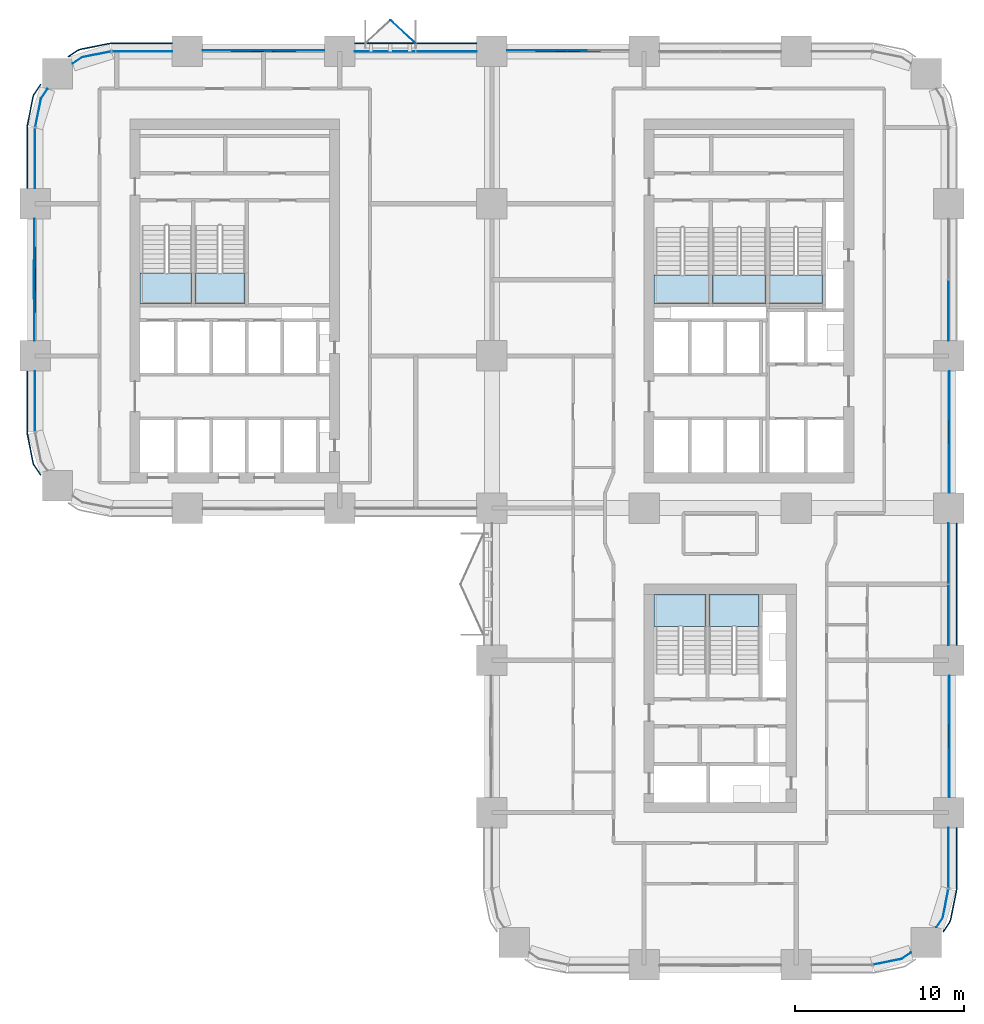
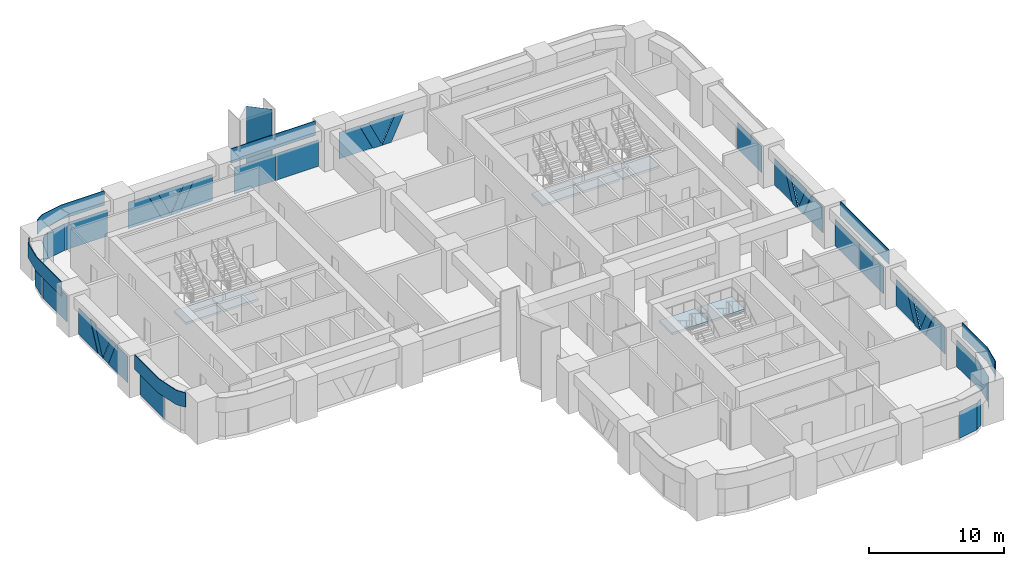
# One storey, part 10 of 18: 39 plates, 7 slabs, 20 elements without a shape of their own.
"""IFC4 building model written with IfcOpenShell, lengths in metres."""

from ifc_helpers import new_model, si_unit, direction, frame, origin, origin_2d, place, context, subcontext, project, spatial, polyline, rectangle, outline, extrude, material, layer, layer_set, type_object, element, aggregate, save


model = new_model("IFC4")

# Units and contexts
model_context = context("Model", 3, precision=1e-05, world=origin(), true_north=direction((0.0, 1.0)))
body_context = subcontext(model_context, "Body", "Model", "MODEL_VIEW")
ifc_project = project(units=[si_unit("LENGTHUNIT", "METRE"), si_unit("AREAUNIT", "SQUARE_METRE"), si_unit("VOLUMEUNIT", "CUBIC_METRE"), si_unit("PLANEANGLEUNIT", "RADIAN"), si_unit("MASSUNIT", "GRAM", prefix="KILO")], contexts=[model_context])

# Site, building, storey
site_placement = place(None, origin())
site = spatial("IfcSite", under=ifc_project, at=site_placement, CompositionType="ELEMENT")
building_placement = place(site_placement, origin())
building = spatial("IfcBuilding", under=site, at=building_placement, Name="Tessera Arch", CompositionType="ELEMENT")
storey_placement = place(building_placement, frame((0.0, 0.0, 100.60009765625)))
storey = spatial("IfcBuildingStorey", under=building, at=storey_placement, Name="L23", CompositionType="ELEMENT", Elevation=100.60009765625)

# Curtain wall, plates
ifc_material_1 = material(Name="CW1 curtain wall")
curtain_wall_type_1 = type_object("IfcCurtainWallType", Name="CW1 curtain wall", PredefinedType="NOTDEFINED", material=ifc_material_1)
curtain_wall_1_placement = place(storey_placement, origin())
curtain_wall_1 = element("IfcCurtainWall", 1, at=curtain_wall_1_placement, inside=storey, type_object=curtain_wall_type_1, Name="CW1 curtain wall N54.0/2 L23", PredefinedType="NOTDEFINED")
ifc_material_2 = material(Name="Clear low-e glass", Category="glass")
ifc_material_3 = material(Name="Clear low-e glass", Category="glass")
ifc_layer_1 = layer(ifc_material_3, 0.028076171875)
ifc_layer_set_1 = layer_set([ifc_layer_1], Name="CW1 glass panel")
plate_type_1 = type_object("IfcPlateType", Name="CW1 glass panel", PredefinedType="CURTAIN_PANEL", material=ifc_layer_set_1)
plate_1_placement = place(storey_placement, frame((24.31494140625, 54.0, 0.0), z_axis=(0.0, 0.0, 1.0), x_axis=(-1.0, 0.0, 0.0)))
plate_1 = element("IfcPlate", 2, at=plate_1_placement, type_object=plate_type_1, material=ifc_material_2, Name="CW1 glass panel N54.0/2 1.1.1", PredefinedType="CURTAIN_PANEL", context=body_context, shape_type="SweptSolid", body=[
    extrude(rectangle(XDim=3.570068359375, YDim=0.028076171875, at=origin_2d()), origin(), (0.0, 0.0, 1.0), 2.39990234375),
])
plate_2_placement = place(storey_placement, frame((20.68505859375, 54.0, 0.0), z_axis=(0.0, 0.0, 1.0), x_axis=(-1.0, 0.0, 0.0)))
plate_2 = element("IfcPlate", 3, at=plate_2_placement, type_object=plate_type_1, material=ifc_material_2, Name="CW1 glass panel N54.0/2 1.2.1", PredefinedType="CURTAIN_PANEL", context=body_context, shape_type="SweptSolid", body=[
    extrude(rectangle(XDim=3.570068359375, YDim=0.028076171875, at=origin_2d()), origin(), (0.0, 0.0, 1.0), 2.39990234375),
])

curtain_wall_2_placement = place(storey_placement, origin())
curtain_wall_2 = element("IfcCurtainWall", 4, at=curtain_wall_2_placement, inside=storey, type_object=curtain_wall_type_1, Name="CW1 curtain wall E54.0/2 L23", PredefinedType="NOTDEFINED")
plate_3_placement = place(storey_placement, frame((54.0, 20.68505859375, 0.0), z_axis=(0.0, 0.0, 1.0), x_axis=(0.0, 1.0, 0.0)))
plate_3 = element("IfcPlate", 5, at=plate_3_placement, type_object=plate_type_1, material=ifc_material_2, Name="CW1 glass panel E54.0/2 1.1.1", PredefinedType="CURTAIN_PANEL", context=body_context, shape_type="SweptSolid", body=[
    extrude(rectangle(XDim=3.570068359375, YDim=0.028076171875, at=origin_2d()), origin(), (0.0, 0.0, 1.0), 2.39990234375),
])
plate_4_placement = place(storey_placement, frame((54.0, 24.31494140625, 0.0), z_axis=(0.0, 0.0, 1.0), x_axis=(0.0, 1.0, 0.0)))
plate_4 = element("IfcPlate", 6, at=plate_4_placement, type_object=plate_type_1, material=ifc_material_2, Name="CW1 glass panel E54.0/2 1.2.1", PredefinedType="CURTAIN_PANEL", context=body_context, shape_type="SweptSolid", body=[
    extrude(rectangle(XDim=3.570068359375, YDim=0.028076171875, at=origin_2d()), origin(), (0.0, 0.0, 1.0), 2.39990234375),
])

# Curtain wall, plate
curtain_wall_3_placement = place(storey_placement, origin())
curtain_wall_3 = element("IfcCurtainWall", 7, at=curtain_wall_3_placement, inside=storey, type_object=curtain_wall_type_1, Name="CW1 curtain wall E54.0/4 L23", PredefinedType="NOTDEFINED")
plate_5_placement = place(storey_placement, frame((54.0, 38.68505859375, 0.0), z_axis=(0.0, 0.0, 1.0), x_axis=(0.0, 1.0, 0.0)))
plate_5 = element("IfcPlate", 8, at=plate_5_placement, type_object=plate_type_1, material=ifc_material_2, Name="CW1 glass panel E54.0/4 1.1.1", PredefinedType="CURTAIN_PANEL", context=body_context, shape_type="SweptSolid", body=[
    extrude(rectangle(XDim=3.570068359375, YDim=0.028076171875, at=origin_2d()), origin(), (0.0, 0.0, 1.0), 2.39990234375),
])
aggregate(curtain_wall_3, [plate_5])

# Plate
ifc_material_4 = material(Name="Pale anodised aluminium panel", Category="aluminium")
ifc_layer_2 = layer(ifc_material_4, 0.06005859375)
ifc_layer_set_2 = layer_set([ifc_layer_2], Name="CW1 spandrel panel")
plate_type_2 = type_object("IfcPlateType", Name="CW1 spandrel panel", PredefinedType="CURTAIN_PANEL", material=ifc_layer_set_2)
plate_6_placement = place(storey_placement, frame((22.5, 54.47998046875, 2.5), z_axis=(0.0, 0.0, 1.0), x_axis=(-1.0, 0.0, 0.0)))
plate_6 = element("IfcPlate", 9, at=plate_6_placement, type_object=plate_type_2, Name="CW1 spandrel panel N54.0/2", PredefinedType="CURTAIN_PANEL", context=body_context, shape_type="SweptSolid", body=[
    extrude(rectangle(XDim=7.199951171875, YDim=0.06005859375, at=origin_2d()), origin(), (0.0, 0.0, 1.0), 1.300048828125),
])

aggregate(curtain_wall_1, [plate_1, plate_2, plate_6])

plate_7_placement = place(storey_placement, frame((54.47998046875, 22.5, 2.5), z_axis=(0.0, 0.0, 1.0), x_axis=(0.0, 1.0, 0.0)))
plate_7 = element("IfcPlate", 10, at=plate_7_placement, type_object=plate_type_2, Name="CW1 spandrel panel E54.0/2", PredefinedType="CURTAIN_PANEL", context=body_context, shape_type="SweptSolid", body=[
    extrude(rectangle(XDim=7.199951171875, YDim=0.06005859375, at=origin_2d()), origin(), (0.0, 0.0, 1.0), 1.300048828125),
])

aggregate(curtain_wall_2, [plate_3, plate_4, plate_7])

# Curtain wall, plates
ifc_material_5 = material(Name="CW2 curtain wall")
curtain_wall_type_2 = type_object("IfcCurtainWallType", Name="CW2 curtain wall", PredefinedType="NOTDEFINED", material=ifc_material_5)
curtain_wall_4_placement = place(storey_placement, origin())
curtain_wall_4 = element("IfcCurtainWall", 11, at=curtain_wall_4_placement, inside=storey, type_object=curtain_wall_type_2, Name="CW2 curtain wall N54.0/4 L23", PredefinedType="NOTDEFINED")
ifc_material_6 = material(Name="Clear low-e glass", Category="glass")
ifc_layer_3 = layer(ifc_material_6, 0.028076171875)
ifc_layer_set_3 = layer_set([ifc_layer_3], Name="CW2 glass panel")
plate_type_3 = type_object("IfcPlateType", Name="CW2 glass panel", PredefinedType="CURTAIN_PANEL", material=ifc_layer_set_3)
plate_8_placement = place(storey_placement, frame((6.320068359375, 54.0, 0.0), z_axis=(0.0, 0.0, 1.0), x_axis=(-1.0, 0.0, 0.0)))
plate_8 = element("IfcPlate", 12, at=plate_8_placement, type_object=plate_type_3, material=ifc_material_2, Name="CW2 glass panel N54.0/4 1.1", PredefinedType="CURTAIN_PANEL", context=body_context, shape_type="SweptSolid", body=[
    extrude(rectangle(XDim=3.56005859375, YDim=0.028076171875, at=origin_2d()), origin(), (0.0, 0.0, 1.0), 2.39990234375),
])
plate_9_placement = place(storey_placement, origin())
plate_9 = element("IfcPlate", 13, at=plate_9_placement, type_object=plate_type_3, material=ifc_material_2, Name="CW2 curved glass panel N54.0/4 2.1", PredefinedType="CURTAIN_PANEL", context=body_context, shape_type="SweptSolid", body=[
    extrude(outline(polyline([(2.783447265625, 53.644287109375), (4.46337890625, 53.978515625), (4.4580078125, 54.005859375), (2.7724609375, 53.670654296875), (2.210205078125, 53.294921875), (2.225830078125, 53.271728515625), (2.783447265625, 53.644287109375)])), origin(), (0.0, 0.0, 1.0), 2.39990234375),
])

curtain_wall_5_placement = place(storey_placement, origin())
curtain_wall_5 = element("IfcCurtainWall", 14, at=curtain_wall_5_placement, inside=storey, type_object=curtain_wall_type_2, Name="CW2 curtain wall W0.27/0 L23", PredefinedType="NOTDEFINED")
plate_10_placement = place(storey_placement, frame((0.0, 47.679931640625, 0.0), z_axis=(0.0, 0.0, 1.0), x_axis=(0.0, -1.0, 0.0)))
plate_10 = element("IfcPlate", 15, at=plate_10_placement, type_object=plate_type_3, material=ifc_material_2, Name="CW2 glass panel W0.27/0 1.1", PredefinedType="CURTAIN_PANEL", context=body_context, shape_type="SweptSolid", body=[
    extrude(rectangle(XDim=3.56005859375, YDim=0.028076171875, at=origin_2d()), origin(), (0.0, 0.0, 1.0), 2.39990234375),
])
plate_11_placement = place(storey_placement, origin())
plate_11 = element("IfcPlate", 16, at=plate_11_placement, type_object=plate_type_3, material=ifc_material_2, Name="CW2 curved glass panel W0.27/0 2.1", PredefinedType="CURTAIN_PANEL", context=body_context, shape_type="SweptSolid", body=[
    extrude(outline(polyline([(0.355712890625, 51.216552734375), (0.728271484375, 51.774169921875), (0.705078125, 51.789794921875), (0.329345703125, 51.2275390625), (-0.005859375, 49.5419921875), (0.021484375, 49.53662109375), (0.355712890625, 51.216552734375)])), origin(), (0.0, 0.0, 1.0), 2.39990234375),
])

# Curtain wall, plate
curtain_wall_6_placement = place(storey_placement, origin())
curtain_wall_6 = element("IfcCurtainWall", 17, at=curtain_wall_6_placement, inside=storey, type_object=curtain_wall_type_2, Name="CW2 curtain wall W0.27/2 L23", PredefinedType="NOTDEFINED")
plate_12_placement = place(storey_placement, frame((0.0, 33.320068359375, 0.0), z_axis=(0.0, 0.0, 1.0), x_axis=(0.0, -1.0, 0.0)))
plate_12 = element("IfcPlate", 18, at=plate_12_placement, type_object=plate_type_3, material=ifc_material_2, Name="CW2 glass panel W0.27/2 1.1", PredefinedType="CURTAIN_PANEL", context=body_context, shape_type="SweptSolid", body=[
    extrude(rectangle(XDim=3.56005859375, YDim=0.028076171875, at=origin_2d()), origin(), (0.0, 0.0, 1.0), 2.39990234375),
])

curtain_wall_7_placement = place(storey_placement, origin())
curtain_wall_7 = element("IfcCurtainWall", 19, at=curtain_wall_7_placement, inside=storey, type_object=curtain_wall_type_2, Name="CW2 curtain wall S0.27/2 L23", PredefinedType="NOTDEFINED")
plate_13_placement = place(storey_placement, origin())
plate_13 = element("IfcPlate", 20, at=plate_13_placement, type_object=plate_type_3, material=ifc_material_2, Name="CW2 curved glass panel S0.27/2 2.1", PredefinedType="CURTAIN_PANEL", context=body_context, shape_type="SweptSolid", body=[
    extrude(outline(polyline([(51.216552734375, 0.355712890625), (49.53662109375, 0.021484375), (49.5419921875, -0.005859375), (51.2275390625, 0.329345703125), (51.789794921875, 0.705078125), (51.774169921875, 0.728271484375), (51.216552734375, 0.355712890625)])), origin(), (0.0, 0.0, 1.0), 2.39990234375),
])
aggregate(curtain_wall_7, [plate_13])

# Curtain wall, plates
curtain_wall_8_placement = place(storey_placement, origin())
curtain_wall_8 = element("IfcCurtainWall", 21, at=curtain_wall_8_placement, inside=storey, type_object=curtain_wall_type_2, Name="CW2 curtain wall E54.0/0 L23", PredefinedType="NOTDEFINED")
plate_14_placement = place(storey_placement, frame((54.0, 6.320068359375, 0.0), z_axis=(0.0, 0.0, 1.0), x_axis=(0.0, 1.0, 0.0)))
plate_14 = element("IfcPlate", 22, at=plate_14_placement, type_object=plate_type_3, material=ifc_material_2, Name="CW2 glass panel E54.0/0 1.1", PredefinedType="CURTAIN_PANEL", context=body_context, shape_type="SweptSolid", body=[
    extrude(rectangle(XDim=3.56005859375, YDim=0.028076171875, at=origin_2d()), origin(), (0.0, 0.0, 1.0), 2.39990234375),
])
plate_15_placement = place(storey_placement, origin())
plate_15 = element("IfcPlate", 23, at=plate_15_placement, type_object=plate_type_3, material=ifc_material_2, Name="CW2 curved glass panel E54.0/0 2.1", PredefinedType="CURTAIN_PANEL", context=body_context, shape_type="SweptSolid", body=[
    extrude(outline(polyline([(53.644287109375, 2.783447265625), (53.271728515625, 2.225830078125), (53.294921875, 2.210205078125), (53.670654296875, 2.7724609375), (54.005859375, 4.4580078125), (53.978515625, 4.46337890625), (53.644287109375, 2.783447265625)])), origin(), (0.0, 0.0, 1.0), 2.39990234375),
])

# Plate
ifc_material_7 = material(Name="Pale anodised aluminium panel", Category="aluminium")
ifc_layer_4 = layer(ifc_material_7, 0.06005859375)
ifc_layer_set_4 = layer_set([ifc_layer_4], Name="CW2 spandrel panel")
plate_type_4 = type_object("IfcPlateType", Name="CW2 spandrel panel", PredefinedType="CURTAIN_PANEL", material=ifc_layer_set_4)
plate_16_placement = place(storey_placement, frame((0.0, 0.0, 2.5)))
plate_16 = element("IfcPlate", 24, at=plate_16_placement, type_object=plate_type_4, Name="CW2 spandrel panel N54.0/4", PredefinedType="CURTAIN_PANEL", context=body_context, shape_type="SweptSolid", body=[
    extrude(outline(polyline([(4.500732421875, 54.449951171875), (8.10009765625, 54.449951171875), (8.10009765625, 54.510009765625), (4.499267578125, 54.510009765625), (4.449951171875, 54.507568359375), (4.401123046875, 54.500244140625), (2.677734375, 54.157470703125), (2.6298828125, 54.1455078125), (2.582763671875, 54.128662109375), (2.537353515625, 54.107177734375), (2.4951171875, 54.08203125), (1.9345703125, 53.707275390625), (1.968017578125, 53.657470703125), (2.52734375, 54.03125), (2.565673828125, 54.05419921875), (2.605712890625, 54.0732421875), (2.647216796875, 54.088134765625), (2.69091796875, 54.09912109375), (4.411376953125, 54.441162109375), (4.455810546875, 54.44775390625), (4.500732421875, 54.449951171875)])), origin(), (0.0, 0.0, 1.0), 1.2998046875),
])

aggregate(curtain_wall_4, [plate_8, plate_9, plate_16])

plate_17_placement = place(storey_placement, frame((0.0, 0.0, 2.5)))
plate_17 = element("IfcPlate", 25, at=plate_17_placement, type_object=plate_type_4, Name="CW2 spandrel panel W0.27/0", PredefinedType="CURTAIN_PANEL", context=body_context, shape_type="SweptSolid", body=[
    extrude(outline(polyline([(-0.03125, 51.47265625), (0.342529296875, 52.031982421875), (0.292724609375, 52.0654296875), (-0.08203125, 51.5048828125), (-0.107177734375, 51.462646484375), (-0.128662109375, 51.417236328125), (-0.1455078125, 51.3701171875), (-0.157470703125, 51.322265625), (-0.500244140625, 49.598876953125), (-0.507568359375, 49.550048828125), (-0.510009765625, 49.500732421875), (-0.510009765625, 45.89990234375), (-0.449951171875, 45.89990234375), (-0.449951171875, 49.499267578125), (-0.44775390625, 49.544189453125), (-0.441162109375, 49.588623046875), (-0.09912109375, 51.30908203125), (-0.088134765625, 51.352783203125), (-0.0732421875, 51.394287109375), (-0.05419921875, 51.434326171875), (-0.03125, 51.47265625)])), origin(), (0.0, 0.0, 1.0), 1.2998046875),
])

aggregate(curtain_wall_5, [plate_10, plate_11, plate_17])

plate_18_placement = place(storey_placement, frame((0.0, 0.0, 2.5)))
plate_18 = element("IfcPlate", 26, at=plate_18_placement, type_object=plate_type_4, Name="CW2 spandrel panel W0.27/2", PredefinedType="CURTAIN_PANEL", context=body_context, shape_type="SweptSolid", body=[
    extrude(outline(polyline([(-0.449951171875, 31.500732421875), (-0.449951171875, 35.10009765625), (-0.510009765625, 35.10009765625), (-0.510009765625, 31.499267578125), (-0.507568359375, 31.449951171875), (-0.500244140625, 31.401123046875), (-0.157470703125, 29.677734375), (-0.1455078125, 29.6298828125), (-0.128662109375, 29.582763671875), (-0.107177734375, 29.537353515625), (-0.08203125, 29.4951171875), (0.292724609375, 28.9345703125), (0.342529296875, 28.968017578125), (-0.03125, 29.52734375), (-0.05419921875, 29.565673828125), (-0.0732421875, 29.605712890625), (-0.088134765625, 29.647216796875), (-0.09912109375, 29.69091796875), (-0.441162109375, 31.411376953125), (-0.44775390625, 31.455810546875), (-0.449951171875, 31.500732421875)])), origin(), (0.0, 0.0, 1.0), 1.2998046875),
])

aggregate(curtain_wall_6, [plate_12, plate_18])

plate_19_placement = place(storey_placement, frame((0.0, 0.0, 2.5)))
plate_19 = element("IfcPlate", 27, at=plate_19_placement, type_object=plate_type_4, Name="CW2 spandrel panel E54.0/0", PredefinedType="CURTAIN_PANEL", context=body_context, shape_type="SweptSolid", body=[
    extrude(outline(polyline([(54.03125, 2.52734375), (53.657470703125, 1.968017578125), (53.707275390625, 1.9345703125), (54.08203125, 2.4951171875), (54.107177734375, 2.537353515625), (54.128662109375, 2.582763671875), (54.1455078125, 2.6298828125), (54.157470703125, 2.677734375), (54.500244140625, 4.401123046875), (54.507568359375, 4.449951171875), (54.510009765625, 4.499267578125), (54.510009765625, 8.10009765625), (54.449951171875, 8.10009765625), (54.449951171875, 4.500732421875), (54.44775390625, 4.455810546875), (54.441162109375, 4.411376953125), (54.09912109375, 2.69091796875), (54.088134765625, 2.647216796875), (54.0732421875, 2.605712890625), (54.05419921875, 2.565673828125), (54.03125, 2.52734375)])), origin(), (0.0, 0.0, 1.0), 1.2998046875),
])

aggregate(curtain_wall_8, [plate_14, plate_15, plate_19])

# Curtain wall, plate
ifc_material_8 = material(Name="CW3 curtain wall")
curtain_wall_type_3 = type_object("IfcCurtainWallType", Name="CW3 curtain wall", PredefinedType="NOTDEFINED", material=ifc_material_8)
curtain_wall_9_placement = place(storey_placement, origin())
curtain_wall_9 = element("IfcCurtainWall", 28, at=curtain_wall_9_placement, inside=storey, type_object=curtain_wall_type_3, Name="CW3 curtain wall N54.0/1 L23", PredefinedType="NOTDEFINED")
ifc_material_9 = material(Name="Pale anodised aluminium panel", Category="aluminium")
ifc_layer_5 = layer(ifc_material_9, 0.06005859375)
ifc_layer_set_5 = layer_set([ifc_layer_5], Name="CW3 diagonal panel")
plate_type_5 = type_object("IfcPlateType", Name="CW3 diagonal panel", PredefinedType="CURTAIN_PANEL", material=ifc_layer_set_5)
plate_20_placement = place(storey_placement, frame((29.585205078125, 54.030029296875, 2.39990234375), z_axis=(0.0, 1.0, 0.0), x_axis=(1.0, 0.0, 0.0)))
plate_20 = element("IfcPlate", 29, at=plate_20_placement, type_object=plate_type_5, Name="CW3 diagonal panel N54.0/1 1", PredefinedType="CURTAIN_PANEL", context=body_context, shape_type="SweptSolid", body=[
    extrude(outline(polyline([(0.0, 0.0), (0.798095703125, 0.0), (1.914794921875, 2.357421875), (3.031494140625, 0.0), (3.82958984375, 0.0), (2.69287109375, 2.39990234375), (1.13671875, 2.39990234375), (0.0, 0.0)])), origin(), (0.0, 0.0, -1.0), 0.06005859375),
])

curtain_wall_10_placement = place(storey_placement, origin())
curtain_wall_10 = element("IfcCurtainWall", 30, at=curtain_wall_10_placement, inside=storey, type_object=curtain_wall_type_3, Name="CW3 curtain wall N54.0/3 L23", PredefinedType="NOTDEFINED")
plate_21_placement = place(storey_placement, frame((11.585205078125, 54.030029296875, 2.39990234375), z_axis=(0.0, 1.0, 0.0), x_axis=(1.0, 0.0, 0.0)))
plate_21 = element("IfcPlate", 31, at=plate_21_placement, type_object=plate_type_5, Name="CW3 diagonal panel N54.0/3 1", PredefinedType="CURTAIN_PANEL", context=body_context, shape_type="SweptSolid", body=[
    extrude(outline(polyline([(0.0, 0.0), (0.798095703125, 0.0), (1.914794921875, 2.357421875), (3.031494140625, 0.0), (3.82958984375, 0.0), (2.69287109375, 2.39990234375), (1.13671875, 2.39990234375), (0.0, 0.0)])), origin(), (0.0, 0.0, -1.0), 0.06005859375),
])

curtain_wall_11_placement = place(storey_placement, origin())
curtain_wall_11 = element("IfcCurtainWall", 32, at=curtain_wall_11_placement, inside=storey, type_object=curtain_wall_type_3, Name="CW3 curtain wall W0.27/1 L23", PredefinedType="NOTDEFINED")
plate_22_placement = place(storey_placement, frame((-0.030029296875, 38.585205078125, 2.39990234375), z_axis=(-1.0, 0.0, 0.0), x_axis=(0.0, 1.0, 0.0)))
plate_22 = element("IfcPlate", 33, at=plate_22_placement, type_object=plate_type_5, Name="CW3 diagonal panel W0.27/1 1", PredefinedType="CURTAIN_PANEL", context=body_context, shape_type="SweptSolid", body=[
    extrude(outline(polyline([(0.0, 0.0), (0.798095703125, 0.0), (1.914794921875, 2.357421875), (3.031494140625, 0.0), (3.82958984375, 0.0), (2.69287109375, 2.39990234375), (1.13671875, 2.39990234375), (0.0, 0.0)])), origin(), (0.0, 0.0, -1.0), 0.06005859375),
])

curtain_wall_12_placement = place(storey_placement, origin())
curtain_wall_12 = element("IfcCurtainWall", 34, at=curtain_wall_12_placement, inside=storey, type_object=curtain_wall_type_3, Name="CW3 curtain wall E54.0/1 L23", PredefinedType="NOTDEFINED")
plate_23_placement = place(storey_placement, frame((54.030029296875, 15.414794921875, 2.39990234375), z_axis=(1.0, 0.0, 0.0), x_axis=(0.0, -1.0, 0.0)))
plate_23 = element("IfcPlate", 35, at=plate_23_placement, type_object=plate_type_5, Name="CW3 diagonal panel E54.0/1 1", PredefinedType="CURTAIN_PANEL", context=body_context, shape_type="SweptSolid", body=[
    extrude(outline(polyline([(0.0, 0.0), (0.798095703125, 0.0), (1.914794921875, 2.357421875), (3.031494140625, 0.0), (3.82958984375, 0.0), (2.69287109375, 2.39990234375), (1.13671875, 2.39990234375), (0.0, 0.0)])), origin(), (0.0, 0.0, -1.0), 0.06005859375),
])

curtain_wall_13_placement = place(storey_placement, origin())
curtain_wall_13 = element("IfcCurtainWall", 36, at=curtain_wall_13_placement, inside=storey, type_object=curtain_wall_type_3, Name="CW3 curtain wall E54.0/3 L23", PredefinedType="NOTDEFINED")
plate_24_placement = place(storey_placement, frame((54.030029296875, 33.414794921875, 2.39990234375), z_axis=(1.0, 0.0, 0.0), x_axis=(0.0, -1.0, 0.0)))
plate_24 = element("IfcPlate", 37, at=plate_24_placement, type_object=plate_type_5, Name="CW3 diagonal panel E54.0/3 1", PredefinedType="CURTAIN_PANEL", context=body_context, shape_type="SweptSolid", body=[
    extrude(outline(polyline([(0.0, 0.0), (0.798095703125, 0.0), (1.914794921875, 2.357421875), (3.031494140625, 0.0), (3.82958984375, 0.0), (2.69287109375, 2.39990234375), (1.13671875, 2.39990234375), (0.0, 0.0)])), origin(), (0.0, 0.0, -1.0), 0.06005859375),
])

# Plate
ifc_material_10 = material(Name="Clear low-e glass", Category="glass")
ifc_layer_6 = layer(ifc_material_10, 0.028076171875)
ifc_layer_set_6 = layer_set([ifc_layer_6], Name="CW3 glass panel")
plate_type_6 = type_object("IfcPlateType", Name="CW3 glass panel", PredefinedType="CURTAIN_PANEL", material=ifc_layer_set_6)
plate_25_placement = place(storey_placement, frame((30.38330078125, 54.0859375, 2.39990234375), z_axis=(0.0, 1.0, 0.0), x_axis=(1.0, 0.0, 0.0)))
plate_25 = element("IfcPlate", 38, at=plate_25_placement, type_object=plate_type_6, material=ifc_material_2, Name="CW3 triangulated glass panel N54.0/1 2", PredefinedType="CURTAIN_PANEL", context=body_context, shape_type="SweptSolid", body=[
    extrude(outline(polyline([(0.0, 0.0), (2.2333984375, 0.0), (1.11669921875, 2.357421875), (0.0, 0.0)])), origin(), (0.0, 0.0, -1.0), 0.028076171875),
])

plate_26_placement = place(storey_placement, frame((27.89990234375, 54.05810546875, 2.39990234375), z_axis=(0.0, 1.0, 0.0), x_axis=(1.0, 0.0, 0.0)))
plate_26 = element("IfcPlate", 39, at=plate_26_placement, type_object=plate_type_6, material=ifc_material_2, Name="CW3 triangulated glass panel N54.0/1 3", PredefinedType="CURTAIN_PANEL", context=body_context, shape_type="SweptSolid", body=[
    extrude(outline(polyline([(0.0, 0.0), (1.685302734375, 0.0), (2.822021484375, 2.39990234375), (0.0, 2.39990234375), (0.0, 0.0)])), origin(), (0.0, 0.0, -1.0), 0.028076171875),
])

aggregate(curtain_wall_9, [plate_25, plate_26, plate_20])

plate_27_placement = place(storey_placement, frame((17.10009765625, 54.05810546875, 0.0), z_axis=(0.0, 1.0, 0.0), x_axis=(-1.0, 0.0, 0.0)))
plate_27 = element("IfcPlate", 40, at=plate_27_placement, type_object=plate_type_6, material=ifc_material_2, Name="CW3 triangulated glass panel N54.0/3 1", PredefinedType="CURTAIN_PANEL", context=body_context, shape_type="SweptSolid", body=[
    extrude(outline(polyline([(0.0, 0.0), (2.822021484375, 0.0), (1.685302734375, 2.39990234375), (0.0, 2.39990234375), (0.0, 0.0)])), origin(), (0.0, 0.0, -1.0), 0.028076171875),
])

plate_28_placement = place(storey_placement, frame((12.38330078125, 54.0859375, 2.39990234375), z_axis=(0.0, 1.0, 0.0), x_axis=(1.0, 0.0, 0.0)))
plate_28 = element("IfcPlate", 41, at=plate_28_placement, type_object=plate_type_6, material=ifc_material_2, Name="CW3 triangulated glass panel N54.0/3 2", PredefinedType="CURTAIN_PANEL", context=body_context, shape_type="SweptSolid", body=[
    extrude(outline(polyline([(0.0, 0.0), (2.2333984375, 0.0), (1.11669921875, 2.357421875), (0.0, 0.0)])), origin(), (0.0, 0.0, -1.0), 0.028076171875),
])

plate_29_placement = place(storey_placement, frame((9.89990234375, 54.05810546875, 2.39990234375), z_axis=(0.0, 1.0, 0.0), x_axis=(1.0, 0.0, 0.0)))
plate_29 = element("IfcPlate", 42, at=plate_29_placement, type_object=plate_type_6, material=ifc_material_2, Name="CW3 triangulated glass panel N54.0/3 3", PredefinedType="CURTAIN_PANEL", context=body_context, shape_type="SweptSolid", body=[
    extrude(outline(polyline([(0.0, 0.0), (1.685302734375, 0.0), (2.822021484375, 2.39990234375), (0.0, 2.39990234375), (0.0, 0.0)])), origin(), (0.0, 0.0, -1.0), 0.028076171875),
])

aggregate(curtain_wall_10, [plate_27, plate_28, plate_29, plate_21])

plate_30_placement = place(storey_placement, frame((-0.05810546875, 44.10009765625, 0.0), z_axis=(-1.0, 0.0, 0.0), x_axis=(0.0, -1.0, 0.0)))
plate_30 = element("IfcPlate", 43, at=plate_30_placement, type_object=plate_type_6, material=ifc_material_2, Name="CW3 triangulated glass panel W0.27/1 1", PredefinedType="CURTAIN_PANEL", context=body_context, shape_type="SweptSolid", body=[
    extrude(outline(polyline([(0.0, 0.0), (2.822021484375, 0.0), (1.685302734375, 2.39990234375), (0.0, 2.39990234375), (0.0, 0.0)])), origin(), (0.0, 0.0, -1.0), 0.028076171875),
])

plate_31_placement = place(storey_placement, frame((-0.0859375, 39.38330078125, 2.39990234375), z_axis=(-1.0, 0.0, 0.0), x_axis=(0.0, 1.0, 0.0)))
plate_31 = element("IfcPlate", 44, at=plate_31_placement, type_object=plate_type_6, material=ifc_material_2, Name="CW3 triangulated glass panel W0.27/1 2", PredefinedType="CURTAIN_PANEL", context=body_context, shape_type="SweptSolid", body=[
    extrude(outline(polyline([(0.0, 0.0), (2.2333984375, 0.0), (1.11669921875, 2.357421875), (0.0, 0.0)])), origin(), (0.0, 0.0, -1.0), 0.028076171875),
])

plate_32_placement = place(storey_placement, frame((-0.05810546875, 36.89990234375, 2.39990234375), z_axis=(-1.0, 0.0, 0.0), x_axis=(0.0, 1.0, 0.0)))
plate_32 = element("IfcPlate", 45, at=plate_32_placement, type_object=plate_type_6, material=ifc_material_2, Name="CW3 triangulated glass panel W0.27/1 3", PredefinedType="CURTAIN_PANEL", context=body_context, shape_type="SweptSolid", body=[
    extrude(outline(polyline([(0.0, 0.0), (1.685302734375, 0.0), (2.822021484375, 2.39990234375), (0.0, 2.39990234375), (0.0, 0.0)])), origin(), (0.0, 0.0, -1.0), 0.028076171875),
])

aggregate(curtain_wall_11, [plate_30, plate_31, plate_32, plate_22])

plate_33_placement = place(storey_placement, frame((54.05810546875, 9.89990234375, 0.0), z_axis=(1.0, 0.0, 0.0), x_axis=(0.0, 1.0, 0.0)))
plate_33 = element("IfcPlate", 46, at=plate_33_placement, type_object=plate_type_6, material=ifc_material_2, Name="CW3 triangulated glass panel E54.0/1 1", PredefinedType="CURTAIN_PANEL", context=body_context, shape_type="SweptSolid", body=[
    extrude(outline(polyline([(0.0, 0.0), (2.822021484375, 0.0), (1.685302734375, 2.39990234375), (0.0, 2.39990234375), (0.0, 0.0)])), origin(), (0.0, 0.0, -1.0), 0.028076171875),
])

plate_34_placement = place(storey_placement, frame((54.0859375, 14.61669921875, 2.39990234375), z_axis=(1.0, 0.0, 0.0), x_axis=(0.0, -1.0, 0.0)))
plate_34 = element("IfcPlate", 47, at=plate_34_placement, type_object=plate_type_6, material=ifc_material_2, Name="CW3 triangulated glass panel E54.0/1 2", PredefinedType="CURTAIN_PANEL", context=body_context, shape_type="SweptSolid", body=[
    extrude(outline(polyline([(0.0, 0.0), (2.2333984375, 0.0), (1.11669921875, 2.357421875), (0.0, 0.0)])), origin(), (0.0, 0.0, -1.0), 0.028076171875),
])

plate_35_placement = place(storey_placement, frame((54.05810546875, 17.10009765625, 2.39990234375), z_axis=(1.0, 0.0, 0.0), x_axis=(0.0, -1.0, 0.0)))
plate_35 = element("IfcPlate", 48, at=plate_35_placement, type_object=plate_type_6, material=ifc_material_2, Name="CW3 triangulated glass panel E54.0/1 3", PredefinedType="CURTAIN_PANEL", context=body_context, shape_type="SweptSolid", body=[
    extrude(outline(polyline([(0.0, 0.0), (1.685302734375, 0.0), (2.822021484375, 2.39990234375), (0.0, 2.39990234375), (0.0, 0.0)])), origin(), (0.0, 0.0, -1.0), 0.028076171875),
])

aggregate(curtain_wall_12, [plate_33, plate_34, plate_35, plate_23])

plate_36_placement = place(storey_placement, frame((54.05810546875, 27.89990234375, 0.0), z_axis=(1.0, 0.0, 0.0), x_axis=(0.0, 1.0, 0.0)))
plate_36 = element("IfcPlate", 49, at=plate_36_placement, type_object=plate_type_6, material=ifc_material_2, Name="CW3 triangulated glass panel E54.0/3 1", PredefinedType="CURTAIN_PANEL", context=body_context, shape_type="SweptSolid", body=[
    extrude(outline(polyline([(0.0, 0.0), (2.822021484375, 0.0), (1.685302734375, 2.39990234375), (0.0, 2.39990234375), (0.0, 0.0)])), origin(), (0.0, 0.0, -1.0), 0.028076171875),
])

plate_37_placement = place(storey_placement, frame((54.0859375, 32.61669921875, 2.39990234375), z_axis=(1.0, 0.0, 0.0), x_axis=(0.0, -1.0, 0.0)))
plate_37 = element("IfcPlate", 50, at=plate_37_placement, type_object=plate_type_6, material=ifc_material_2, Name="CW3 triangulated glass panel E54.0/3 2", PredefinedType="CURTAIN_PANEL", context=body_context, shape_type="SweptSolid", body=[
    extrude(outline(polyline([(0.0, 0.0), (2.2333984375, 0.0), (1.11669921875, 2.357421875), (0.0, 0.0)])), origin(), (0.0, 0.0, -1.0), 0.028076171875),
])

plate_38_placement = place(storey_placement, frame((54.05810546875, 35.10009765625, 2.39990234375), z_axis=(1.0, 0.0, 0.0), x_axis=(0.0, -1.0, 0.0)))
plate_38 = element("IfcPlate", 51, at=plate_38_placement, type_object=plate_type_6, material=ifc_material_2, Name="CW3 triangulated glass panel E54.0/3 3", PredefinedType="CURTAIN_PANEL", context=body_context, shape_type="SweptSolid", body=[
    extrude(outline(polyline([(0.0, 0.0), (1.685302734375, 0.0), (2.822021484375, 2.39990234375), (0.0, 2.39990234375), (0.0, 0.0)])), origin(), (0.0, 0.0, -1.0), 0.028076171875),
])

aggregate(curtain_wall_13, [plate_36, plate_37, plate_38, plate_24])

# Stair, slab
ifc_material_11 = material(Name="Concrete C40/50", Category="concrete")
stair_type_1 = type_object("IfcStairType", Name="Dogleg stair 1520", PredefinedType="HALF_TURN_STAIR", material=ifc_material_11)
stair_1_placement = place(storey_placement, origin())
stair_1 = element("IfcStair", 52, at=stair_1_placement, inside=storey, type_object=stair_type_1, Name="L23 S1a", PredefinedType="HALF_TURN_STAIR")
ifc_material_12 = material(Name="Concrete C40/50", Category="concrete")
ifc_layer_7 = layer(ifc_material_12, 0.300048828125)
ifc_layer_set_7 = layer_set([ifc_layer_7], Name="Stair landing 300")
slab_type = type_object("IfcSlabType", Name="Stair landing 300", PredefinedType="LANDING", material=ifc_layer_set_7)
slab_1_placement = place(storey_placement, frame((0.0, 0.0, 1.699951171875)))
slab_1 = element("IfcSlab", 53, at=slab_1_placement, type_object=slab_type, Name="S1a landing 1", PredefinedType="LANDING", context=body_context, shape_type="SweptSolid", body=[
    extrude(outline(polyline([(36.60009765625, 40.780029296875), (36.60009765625, 39.10009765625), (39.85009765625, 39.10009765625), (39.85009765625, 40.780029296875), (36.60009765625, 40.780029296875)])), origin(), (0.0, 0.0, 1.0), 0.199951171875),
])
aggregate(stair_1, [slab_1])

stair_2_placement = place(storey_placement, origin())
stair_2 = element("IfcStair", 54, at=stair_2_placement, inside=storey, type_object=stair_type_1, Name="L23 S1b", PredefinedType="HALF_TURN_STAIR")
slab_2_placement = place(storey_placement, frame((0.0, 0.0, 1.699951171875)))
slab_2 = element("IfcSlab", 55, at=slab_2_placement, type_object=slab_type, Name="S1b landing 1", PredefinedType="LANDING", context=body_context, shape_type="SweptSolid", body=[
    extrude(outline(polyline([(40.050048828125, 40.780029296875), (40.050048828125, 39.10009765625), (43.199951171875, 39.10009765625), (43.199951171875, 40.780029296875), (40.050048828125, 40.780029296875)])), origin(), (0.0, 0.0, 1.0), 0.199951171875),
])
aggregate(stair_2, [slab_2])

stair_3_placement = place(storey_placement, origin())
stair_3 = element("IfcStair", 56, at=stair_3_placement, inside=storey, type_object=stair_type_1, Name="L23 S1c", PredefinedType="HALF_TURN_STAIR")
slab_3_placement = place(storey_placement, frame((0.0, 0.0, 1.699951171875)))
slab_3 = element("IfcSlab", 57, at=slab_3_placement, type_object=slab_type, Name="S1c landing 1", PredefinedType="LANDING", context=body_context, shape_type="SweptSolid", body=[
    extrude(outline(polyline([(43.39990234375, 40.780029296875), (43.39990234375, 39.10009765625), (46.550048828125, 39.10009765625), (46.550048828125, 40.780029296875), (43.39990234375, 40.780029296875)])), origin(), (0.0, 0.0, 1.0), 0.199951171875),
])
aggregate(stair_3, [slab_3])

ifc_material_13 = material(Name="Concrete C40/50", Category="concrete")
stair_type_2 = type_object("IfcStairType", Name="Dogleg stair 1400", PredefinedType="HALF_TURN_STAIR", material=ifc_material_13)
stair_4_placement = place(storey_placement, origin())
stair_4 = element("IfcStair", 58, at=stair_4_placement, inside=storey, type_object=stair_type_2, Name="L23 S2a", PredefinedType="HALF_TURN_STAIR")
slab_4_placement = place(storey_placement, frame((0.0, 0.0, 1.699951171875)))
slab_4 = element("IfcSlab", 59, at=slab_4_placement, type_object=slab_type, Name="S2a landing 1", PredefinedType="LANDING", context=body_context, shape_type="SweptSolid", body=[
    extrude(outline(polyline([(6.199951171875, 40.89990234375), (6.199951171875, 39.10009765625), (9.25, 39.10009765625), (9.25, 40.89990234375), (6.199951171875, 40.89990234375)])), origin(), (0.0, 0.0, 1.0), 0.199951171875),
])
aggregate(stair_4, [slab_4])

stair_5_placement = place(storey_placement, origin())
stair_5 = element("IfcStair", 60, at=stair_5_placement, inside=storey, type_object=stair_type_2, Name="L23 S2b", PredefinedType="HALF_TURN_STAIR")
slab_5_placement = place(storey_placement, frame((0.0, 0.0, 1.699951171875)))
slab_5 = element("IfcSlab", 61, at=slab_5_placement, type_object=slab_type, Name="S2b landing 1", PredefinedType="LANDING", context=body_context, shape_type="SweptSolid", body=[
    extrude(outline(polyline([(9.449951171875, 40.89990234375), (9.449951171875, 39.10009765625), (12.39990234375, 39.10009765625), (12.39990234375, 40.89990234375), (9.449951171875, 40.89990234375)])), origin(), (0.0, 0.0, 1.0), 0.199951171875),
])
aggregate(stair_5, [slab_5])

stair_6_placement = place(storey_placement, origin())
stair_6 = element("IfcStair", 62, at=stair_6_placement, inside=storey, type_object=stair_type_2, Name="L23 S3a", PredefinedType="HALF_TURN_STAIR")
slab_6_placement = place(storey_placement, frame((0.0, 0.0, 1.699951171875)))
slab_6 = element("IfcSlab", 63, at=slab_6_placement, type_object=slab_type, Name="S3a landing 1", PredefinedType="LANDING", context=body_context, shape_type="SweptSolid", body=[
    extrude(outline(polyline([(39.64990234375, 20.0), (39.64990234375, 21.89990234375), (36.60009765625, 21.89990234375), (36.60009765625, 20.0), (39.64990234375, 20.0)])), origin(), (0.0, 0.0, 1.0), 0.199951171875),
])
aggregate(stair_6, [slab_6])

stair_7_placement = place(storey_placement, origin())
stair_7 = element("IfcStair", 64, at=stair_7_placement, inside=storey, type_object=stair_type_2, Name="L23 S3b", PredefinedType="HALF_TURN_STAIR")
slab_7_placement = place(storey_placement, frame((0.0, 0.0, 1.699951171875)))
slab_7 = element("IfcSlab", 65, at=slab_7_placement, type_object=slab_type, Name="S3b landing 1", PredefinedType="LANDING", context=body_context, shape_type="SweptSolid", body=[
    extrude(outline(polyline([(42.800048828125, 20.0), (42.800048828125, 21.89990234375), (39.85009765625, 21.89990234375), (39.85009765625, 20.0), (42.800048828125, 20.0)])), origin(), (0.0, 0.0, 1.0), 0.199951171875),
])
aggregate(stair_7, [slab_7])

# Plate
ifc_material_14 = material(Name="Clear low-e glass", Category="glass")
ifc_layer_8 = layer(ifc_material_14, 0.028076171875)
ifc_layer_set_8 = layer_set([ifc_layer_8], Name="Window box glass facet")
plate_type_7 = type_object("IfcPlateType", Name="Window box glass facet", PredefinedType="SHEET", material=ifc_layer_set_8)
plate_39_placement = place(storey_placement, frame((21.72509765625, 55.179931640625, 0.2197265625), z_axis=(0.0, 0.0, 1.0), x_axis=(-0.734414958885, 0.678700720617, 0.0)))
element("IfcPlate", 66, at=plate_39_placement, inside=storey, type_object=plate_type_7, Name="Window box N54.0/2.1 1x2 glass", PredefinedType="SHEET", context=body_context, shape_type="SweptSolid", body=[
    extrude(rectangle(XDim=1.974365234375, YDim=0.028076171875, at=origin_2d()), origin(), (0.0, 0.0, 1.0), 5.860107421875),
])

save(model, "model.ifc")
